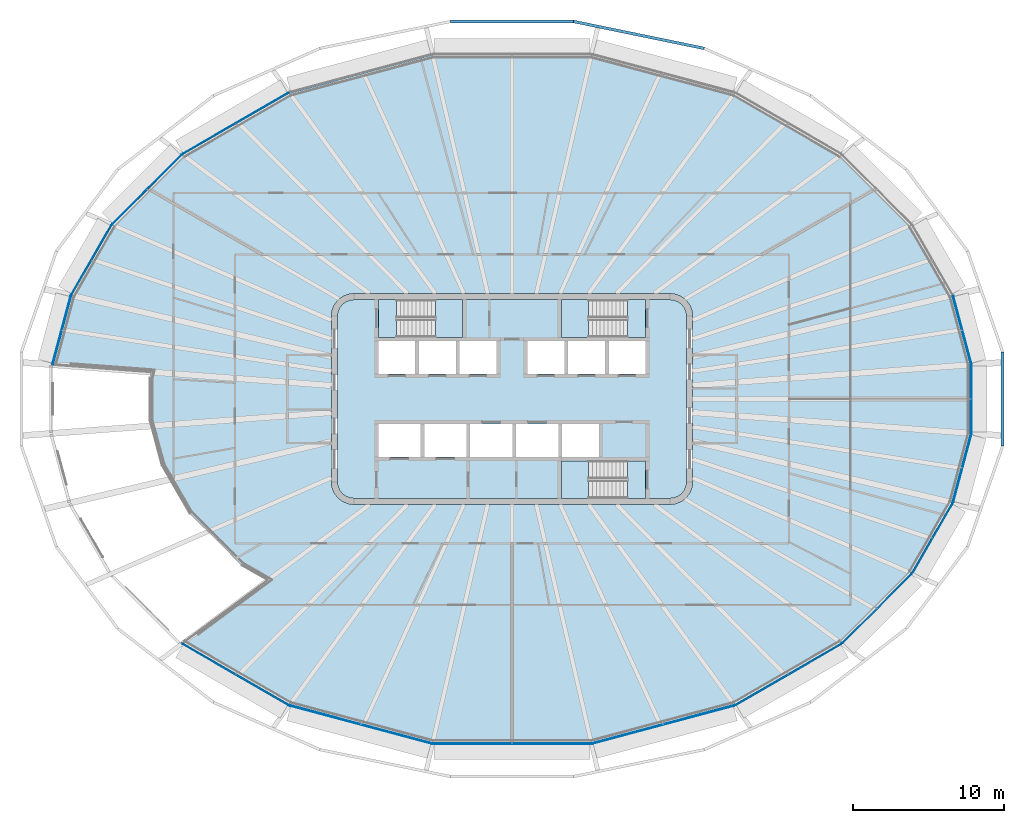
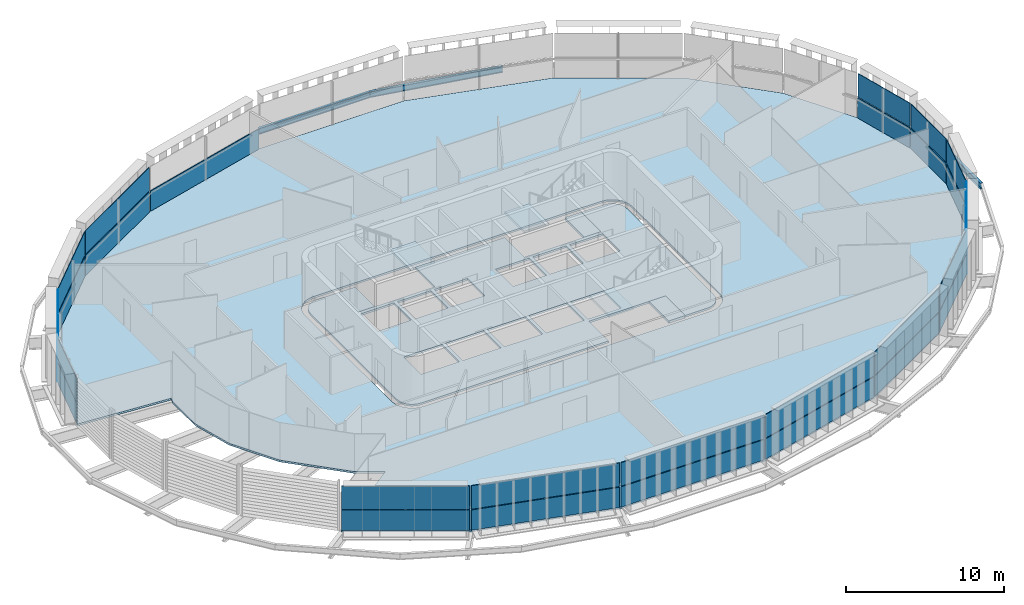
# One storey, part 8 of 20: 29 plates, 8 slabs, 3 beams, 18 elements without a shape of their own.
"""IFC4 building model written with IfcOpenShell, lengths in metres."""

from ifc_helpers import new_model, si_unit, direction, frame, origin, origin_2d, place, context, subcontext, project, spatial, polyline, i_section, outline, extrude, material, layer, layer_set, material_profile, profile_set, type_object, element, aggregate, save


model = new_model("IFC4")

# Units and contexts
model_context = context("Model", 3, precision=1e-05, world=origin(), true_north=direction((0.0, 1.0)))
body_context = subcontext(model_context, "Body", "Model", "MODEL_VIEW")
ifc_project = project(units=[si_unit("LENGTHUNIT", "METRE"), si_unit("AREAUNIT", "SQUARE_METRE"), si_unit("VOLUMEUNIT", "CUBIC_METRE"), si_unit("PLANEANGLEUNIT", "RADIAN"), si_unit("MASSUNIT", "GRAM", prefix="KILO")], contexts=[model_context])

# Site, building, storey
site_placement = place(None, origin())
site = spatial("IfcSite", under=ifc_project, at=site_placement, CompositionType="ELEMENT")
building_placement = place(site_placement, origin())
building = spatial("IfcBuilding", under=site, at=building_placement, Name="Sahrelin Media Tower", CompositionType="ELEMENT")
storey_placement = place(building_placement, frame((0.0, 0.0, 225.60009765625)))
storey = spatial("IfcBuildingStorey", under=building, at=storey_placement, Name="L48", CompositionType="ELEMENT", Elevation=225.60009765625)

# Beams
ifc_material_1 = material(Name="Steel S355", Category="steel")
ifc_material_profile = material_profile(ifc_material_1, i_section(OverallWidth=0.1904296875, OverallDepth=0.45703125, WebThickness=0.009033203125, FlangeThickness=0.014404296875, FilletRadius=0.01025390625, at=origin_2d()), Name="UB 457x191x74")
ifc_profile_set = profile_set([ifc_material_profile], Name="Steel S355")
beam_type = type_object("IfcBeamType", Name="Tie chord TC5", PredefinedType="BEAM", material=ifc_profile_set)
beam_1_placement = place(storey_placement, frame((12.75927734375, 23.28125, -0.378662109375), z_axis=(-0.979387737281, 0.201989257299, 0.0), x_axis=(-0.201989257299, -0.979387737281, 0.0)))
element("IfcBeam", 1, at=beam_1_placement, inside=storey, type_object=beam_type, Name="Tie chord L48-05", PredefinedType="BEAM", context=body_context, shape_type="SweptSolid", body=[
    extrude(i_section(OverallWidth=0.1904296875, OverallDepth=0.45703125, WebThickness=0.009033203125, FlangeThickness=0.014404296875, FilletRadius=0.01025390625, at=origin_2d()), origin(), (0.0, 0.0, 1.0), 8.8681640625),
])
beam_2_placement = place(storey_placement, frame((4.073974609375, 25.072509765625, -0.378662109375), z_axis=(-1.0, 0.0, 0.0), x_axis=(0.0, -1.0, 0.0)))
element("IfcBeam", 2, at=beam_2_placement, inside=storey, type_object=beam_type, Name="Tie chord L48-06", PredefinedType="BEAM", context=body_context, shape_type="SweptSolid", body=[
    extrude(i_section(OverallWidth=0.1904296875, OverallDepth=0.45703125, WebThickness=0.009033203125, FlangeThickness=0.014404296875, FilletRadius=0.01025390625, at=origin_2d()), origin(), (0.0, 0.0, 1.0), 8.14794921875),
])
beam_3_placement = place(storey_placement, frame((32.57470703125, -3.1357421875, -0.378662109375), z_axis=(0.0, 1.0, 0.0), x_axis=(-1.0, 0.0, 0.0)))
element("IfcBeam", 3, at=beam_3_placement, inside=storey, type_object=beam_type, Name="Tie chord L48-24", PredefinedType="BEAM", context=body_context, shape_type="SweptSolid", body=[
    extrude(i_section(OverallWidth=0.1904296875, OverallDepth=0.45703125, WebThickness=0.009033203125, FlangeThickness=0.014404296875, FilletRadius=0.01025390625, at=origin_2d()), origin(), (0.0, 0.0, 1.0), 6.271484375),
])

# Slabs
ifc_material_2 = material(Name="Concrete C40/50", Category="concrete")
ifc_layer_1 = layer(ifc_material_2, 0.14990234375)
ifc_layer_set_1 = layer_set([ifc_layer_1], Name="Composite floor slab 150")
slab_type_1 = type_object("IfcSlabType", Name="Composite floor slab 150", PredefinedType="FLOOR", material=ifc_layer_set_1)
placement_1 = place(storey_placement, frame((0.0, 0.0, -0.150146484375)))
element("IfcSlab", 4, at=placement_1, inside=storey, type_object=slab_type_1, Name="Floor slab L48", PredefinedType="FLOOR", context=body_context, shape_type="SweptSolid", body=[
    extrude(outline(polyline([(29.265869140625, -6.87841796875), (30.49853515625, -2.27734375), (30.49853515625, 2.27734375), (29.265869140625, 6.87841796875), (26.555419921875, 11.572998046875), (21.897705078125, 16.230712890625), (14.786865234375, 20.336181640625), (5.2822265625, 22.8828125), (-5.2822265625, 22.8828125), (-14.786865234375, 20.336181640625), (-21.897705078125, 16.230712890625), (-26.555419921875, 11.572998046875), (-29.265869140625, 6.87841796875), (-30.498291015625, 2.2783203125), (-23.92138671875, 1.787109375), (-24.0185546875, 1.42431640625), (-24.0185546875, -1.42431640625), (-23.227294921875, -4.377197265625), (-21.3701171875, -7.59423828125), (-17.918701171875, -11.04541015625), (-16.218994140625, -12.02685546875), (-21.892333984375, -16.233642578125), (-14.786865234375, -20.336181640625), (-5.2822265625, -22.8828125), (5.2822265625, -22.8828125), (14.786865234375, -20.336181640625), (21.897705078125, -16.230712890625), (26.555419921875, -11.572998046875), (29.265869140625, -6.87841796875)]), holes=[polyline([(11.799072265625, 6.25), (11.948974609375, 5.88818359375), (12.0, 5.5), (12.0, -5.5), (11.948974609375, -5.88818359375), (11.799072265625, -6.25), (11.560791015625, -6.560791015625), (11.25, -6.799072265625), (10.88818359375, -6.948974609375), (10.5, -7.0), (-10.5, -7.0), (-10.88818359375, -6.948974609375), (-11.25, -6.799072265625), (-11.560791015625, -6.560791015625), (-11.799072265625, -6.25), (-11.948974609375, -5.88818359375), (-12.0, -5.5), (-12.0, 5.5), (-11.948974609375, 5.88818359375), (-11.799072265625, 6.25), (-11.560791015625, 6.560791015625), (-11.25, 6.799072265625), (-10.88818359375, 6.948974609375), (-10.5, 7.0), (10.5, 7.0), (10.88818359375, 6.948974609375), (11.25, 6.799072265625), (11.560791015625, 6.560791015625), (11.799072265625, 6.25)])]), origin(), (0.0, 0.0, 1.0), 0.150146484375),
])
ifc_layer_2 = layer(ifc_material_2, 0.14990234375)
ifc_layer_set_2 = layer_set([ifc_layer_2], Name="Core floor slab 150")
slab_type_2 = type_object("IfcSlabType", Name="Core floor slab 150", PredefinedType="FLOOR", material=ifc_layer_set_2)
element("IfcSlab", 5, at=placement_1, inside=storey, type_object=slab_type_2, Name="Core floor", PredefinedType="FLOOR", context=body_context, shape_type="SweptSolid", body=[
    extrude(outline(polyline([(-11.60009765625, -5.473876953125), (-11.55908203125, -5.78369140625), (-11.44970703125, -6.04833984375), (-11.275390625, -6.275390625), (-11.04833984375, -6.44970703125), (-10.78369140625, -6.55908203125), (-10.473876953125, -6.60009765625), (3.27490234375, -6.60009765625), (3.27490234375, -4.10009765625), (8.875, -4.10009765625), (8.875, -6.60009765625), (10.473876953125, -6.60009765625), (10.78369140625, -6.55908203125), (11.04833984375, -6.44970703125), (11.275390625, -6.275390625), (11.44970703125, -6.04833984375), (11.55908203125, -5.78369140625), (11.60009765625, -5.473876953125), (11.60009765625, 5.473876953125), (11.55908203125, 5.78369140625), (11.44970703125, 6.04833984375), (11.275390625, 6.275390625), (11.04833984375, 6.44970703125), (10.78369140625, 6.55908203125), (10.473876953125, 6.60009765625), (8.875, 6.60009765625), (8.875, 4.10009765625), (3.27490234375, 4.10009765625), (3.27490234375, 6.60009765625), (-3.27490234375, 6.60009765625), (-3.27490234375, 4.10009765625), (-8.875, 4.10009765625), (-8.875, 6.60009765625), (-10.473876953125, 6.60009765625), (-10.78369140625, 6.55908203125), (-11.04833984375, 6.44970703125), (-11.275390625, 6.275390625), (-11.44970703125, 6.04833984375), (-11.55908203125, 5.78369140625), (-11.60009765625, 5.473876953125), (-11.60009765625, -5.473876953125)]), holes=[polyline([(-8.875, 3.85009765625), (-8.875, 1.64990234375), (-6.425048828125, 1.64990234375), (-6.425048828125, 3.85009765625), (-8.875, 3.85009765625)]), polyline([(-3.72509765625, 3.85009765625), (-6.175048828125, 3.85009765625), (-6.175048828125, 1.64990234375), (-3.72509765625, 1.64990234375), (-3.72509765625, 3.85009765625)]), polyline([(-1.02490234375, 1.64990234375), (-1.02490234375, 3.85009765625), (-3.47509765625, 3.85009765625), (-3.47509765625, 1.64990234375), (-1.02490234375, 1.64990234375)]), polyline([(1.02490234375, 1.64990234375), (3.47509765625, 1.64990234375), (3.47509765625, 3.85009765625), (1.02490234375, 3.85009765625), (1.02490234375, 1.64990234375)]), polyline([(3.72509765625, 3.85009765625), (3.72509765625, 1.64990234375), (6.175048828125, 1.64990234375), (6.175048828125, 3.85009765625), (3.72509765625, 3.85009765625)]), polyline([(8.875, 3.85009765625), (6.425048828125, 3.85009765625), (6.425048828125, 1.64990234375), (8.875, 1.64990234375), (8.875, 3.85009765625)]), polyline([(-6.074951171875, -3.85009765625), (-6.074951171875, -1.64990234375), (-8.875, -1.64990234375), (-8.875, -3.85009765625), (-6.074951171875, -3.85009765625)]), polyline([(-5.824951171875, -3.85009765625), (-3.02490234375, -3.85009765625), (-3.02490234375, -1.64990234375), (-5.824951171875, -1.64990234375), (-5.824951171875, -3.85009765625)]), polyline([(-2.77490234375, -1.64990234375), (-2.77490234375, -3.85009765625), (0.02490234375, -3.85009765625), (0.02490234375, -1.64990234375), (-2.77490234375, -1.64990234375)]), polyline([(3.074951171875, -1.64990234375), (0.27490234375, -1.64990234375), (0.27490234375, -3.85009765625), (3.074951171875, -3.85009765625), (3.074951171875, -1.64990234375)]), polyline([(5.77490234375, -3.85009765625), (5.77490234375, -1.64990234375), (3.324951171875, -1.64990234375), (3.324951171875, -3.85009765625), (5.77490234375, -3.85009765625)])]), origin(), (0.0, 0.0, 1.0), 0.150146484375),
])

# Curtain wall, plate
ifc_material_3 = material(Name="Champagne anodised aluminium 6063-T6", Category="aluminium")
ifc_layer_3 = layer(ifc_material_3, 0.14990234375)
ifc_layer_set_3 = layer_set([ifc_layer_3], Name="Tower ribbon curtain wall")
curtain_wall_type = type_object("IfcCurtainWallType", Name="Tower ribbon curtain wall", PredefinedType="NOTDEFINED", material=ifc_layer_set_3)
curtain_wall_1_placement = place(storey_placement, frame((30.5185546875, 0.0, 0.0), z_axis=(0.0, 0.0, 1.0), x_axis=(1.0, 0.0, 0.0)))
curtain_wall_1 = element("IfcCurtainWall", 6, at=curtain_wall_1_placement, inside=storey, type_object=curtain_wall_type, Name="L48:CW:L48-00", PredefinedType="NOTDEFINED")
ifc_material_4 = material(Name="Clear low-iron glazing", Category="glass")
ifc_layer_4 = layer(ifc_material_4, 0.0439453125)
ifc_layer_set_4 = layer_set([ifc_layer_4], Name="Glazing panel 44 mm CW1B")
plate_type_1 = type_object("IfcPlateType", Name="Glazing panel 44 mm CW1B", PredefinedType="CURTAIN_PANEL", material=ifc_layer_set_4)
plate_1_placement = place(storey_placement, frame((30.53857421875, -2.22998046875, 1.6298828125), z_axis=(1.0, 0.0, 0.0), x_axis=(0.0, 1.0, 0.0)))
plate_1 = element("IfcPlate", 7, at=plate_1_placement, type_object=plate_type_1, Name="L48:CWP2:L48-00", PredefinedType="CURTAIN_PANEL", context=body_context, shape_type="SweptSolid", body=[
    extrude(outline(polyline([(0.0, 0.0), (4.4599609375, 0.0), (4.4599609375, 1.818603515625), (0.0, 1.818603515625), (0.0, 0.0)])), origin(), (0.0, 0.0, -1.0), 0.0439453125),
])

curtain_wall_2_placement = place(storey_placement, frame((29.901611328125, 4.5830078125, 0.0), z_axis=(0.0, 0.0, 1.0), x_axis=(1.0, 0.0, 0.0)))
curtain_wall_2 = element("IfcCurtainWall", 8, at=curtain_wall_2_placement, inside=storey, type_object=curtain_wall_type, Name="L48:CW:L48-01", PredefinedType="NOTDEFINED")
plate_2_placement = place(storey_placement, frame((30.52490234375, 2.33349609375, 1.6298828125), z_axis=(0.965929611429, 0.258804918356, 0.0), x_axis=(-0.258804918356, 0.965929611429, 0.0)))
plate_2 = element("IfcPlate", 9, at=plate_2_placement, type_object=plate_type_1, Name="L48:CWP2:L48-01", PredefinedType="CURTAIN_PANEL", context=body_context, shape_type="SweptSolid", body=[
    extrude(outline(polyline([(0.0, 0.0), (4.668701171875, 0.0), (4.668701171875, 1.818603515625), (0.0, 1.818603515625), (0.0, 0.0)])), origin(), (0.0, 0.0, -1.0), 0.0439453125),
])

curtain_wall_3_placement = place(storey_placement, frame((-18.352294921875, 18.30078125, 0.0), z_axis=(0.0, 0.0, 1.0), x_axis=(1.0, 0.0, 0.0)))
curtain_wall_3 = element("IfcCurtainWall", 10, at=curtain_wall_3_placement, inside=storey, type_object=curtain_wall_type, Name="L48:CW:L48-08", PredefinedType="NOTDEFINED")
plate_3_placement = place(storey_placement, frame((-14.847900390625, 20.346923828125, 1.6298828125), z_axis=(-0.499979373566, 0.866037312134, 0.0), x_axis=(-0.866037312134, -0.499979373566, 0.0)))
plate_3 = element("IfcPlate", 11, at=plate_3_placement, type_object=plate_type_1, Name="L48:CWP2:L48-08", PredefinedType="CURTAIN_PANEL", context=body_context, shape_type="SweptSolid", body=[
    extrude(outline(polyline([(0.0, 0.0), (8.115966796875, 0.0), (8.115966796875, 1.818603515625), (0.0, 1.818603515625), (0.0, 0.0)])), origin(), (0.0, 0.0, -1.0), 0.0439453125),
])

curtain_wall_4_placement = place(storey_placement, frame((-24.240478515625, 13.916015625, 0.0), z_axis=(0.0, 0.0, 1.0), x_axis=(1.0, 0.0, 0.0)))
curtain_wall_4 = element("IfcCurtainWall", 12, at=curtain_wall_4_placement, inside=storey, type_object=curtain_wall_type, Name="L48:CW:L48-09", PredefinedType="NOTDEFINED")
plate_4_placement = place(storey_placement, frame((-21.95947265625, 16.2255859375, 1.6298828125), z_axis=(-0.707125583467, 0.707087978406, 0.0), x_axis=(-0.707087978406, -0.707125583467, 0.0)))
plate_4 = element("IfcPlate", 13, at=plate_4_placement, type_object=plate_type_1, Name="L48:CWP2:L48-09", PredefinedType="CURTAIN_PANEL", context=body_context, shape_type="SweptSolid", body=[
    extrude(outline(polyline([(0.0, 0.0), (6.4921875, 0.0), (6.4921875, 1.818603515625), (0.0, 1.818603515625), (0.0, 0.0)])), origin(), (0.0, 0.0, -1.0), 0.0439453125),
])

curtain_wall_5_placement = place(storey_placement, frame((-27.927734375, 9.235595703125, 0.0), z_axis=(0.0, 0.0, 1.0), x_axis=(1.0, 0.0, 0.0)))
curtain_wall_5 = element("IfcCurtainWall", 14, at=curtain_wall_5_placement, inside=storey, type_object=curtain_wall_type, Name="L48:CW:L48-10", PredefinedType="NOTDEFINED")
plate_5_placement = place(storey_placement, frame((-26.613525390625, 11.552001953125, 1.6298828125), z_axis=(-0.866022994869, 0.500004172341, 0.0), x_axis=(-0.500004172341, -0.866022994869, 0.0)))
plate_5 = element("IfcPlate", 15, at=plate_5_placement, type_object=plate_type_1, Name="L48:CWP2:L48-10", PredefinedType="CURTAIN_PANEL", context=body_context, shape_type="SweptSolid", body=[
    extrude(outline(polyline([(0.0, 0.0), (5.326171875, 0.0), (5.326171875, 1.818603515625), (0.0, 1.818603515625), (0.0, 0.0)])), origin(), (0.0, 0.0, -1.0), 0.0439453125),
])

curtain_wall_6_placement = place(storey_placement, frame((-29.901611328125, 4.5830078125, 0.0), z_axis=(0.0, 0.0, 1.0), x_axis=(1.0, 0.0, 0.0)))
curtain_wall_6 = element("IfcCurtainWall", 16, at=curtain_wall_6_placement, inside=storey, type_object=curtain_wall_type, Name="L48:CW:L48-11", PredefinedType="NOTDEFINED")
plate_6_placement = place(storey_placement, frame((-29.316650390625, 6.843017578125, 1.6298828125), z_axis=(-0.965929611429, 0.258804918356, 0.0), x_axis=(-0.258804918356, -0.965929611429, 0.0)))
plate_6 = element("IfcPlate", 17, at=plate_6_placement, type_object=plate_type_1, Name="L48:CWP2:L48-11", PredefinedType="CURTAIN_PANEL", context=body_context, shape_type="SweptSolid", body=[
    extrude(outline(polyline([(0.0, 0.0), (4.668701171875, 0.0), (4.668701171875, 1.818603515625), (0.0, 1.818603515625), (0.0, 0.0)])), origin(), (0.0, 0.0, -1.0), 0.0439453125),
])

curtain_wall_7_placement = place(storey_placement, frame((-18.352294921875, -18.30078125, 0.0), z_axis=(0.0, 0.0, 1.0), x_axis=(1.0, 0.0, 0.0)))
curtain_wall_7 = element("IfcCurtainWall", 18, at=curtain_wall_7_placement, inside=storey, type_object=curtain_wall_type, Name="L48:CW:L48-16", PredefinedType="NOTDEFINED")
plate_7_placement = place(storey_placement, frame((-21.876708984375, -16.2890625, 1.6298828125), z_axis=(-0.499979373566, -0.866037312134, 0.0), x_axis=(0.866037312134, -0.499979373566, 0.0)))
plate_7 = element("IfcPlate", 19, at=plate_7_placement, type_object=plate_type_1, Name="L48:CWP2:L48-16", PredefinedType="CURTAIN_PANEL", context=body_context, shape_type="SweptSolid", body=[
    extrude(outline(polyline([(0.0, 0.0), (8.115966796875, 0.0), (8.115966796875, 1.818603515625), (0.0, 1.818603515625), (0.0, 0.0)])), origin(), (0.0, 0.0, -1.0), 0.0439453125),
])

curtain_wall_8_placement = place(storey_placement, frame((-10.039794921875, -21.62890625, 0.0), z_axis=(0.0, 0.0, 1.0), x_axis=(1.0, 0.0, 0.0)))
curtain_wall_8 = element("IfcCurtainWall", 20, at=curtain_wall_8_placement, inside=storey, type_object=curtain_wall_type, Name="L48:CW:L48-17", PredefinedType="NOTDEFINED")
plate_8_placement = place(storey_placement, frame((-14.75146484375, -20.386962890625, 1.6298828125), z_axis=(-0.258817898278, -0.965926133579, 0.0), x_axis=(0.965926133579, -0.258817898278, 0.0)))
plate_8 = element("IfcPlate", 21, at=plate_8_placement, type_object=plate_type_1, Name="L48:CWP2:L48-17", PredefinedType="CURTAIN_PANEL", context=body_context, shape_type="SweptSolid", body=[
    extrude(outline(polyline([(0.0, 0.0), (9.7451171875, 0.0), (9.7451171875, 1.818603515625), (0.0, 1.818603515625), (0.0, 0.0)])), origin(), (0.0, 0.0, -1.0), 0.0439453125),
])

curtain_wall_9_placement = place(storey_placement, frame((0.0, -22.90283203125, 0.0), z_axis=(0.0, 0.0, 1.0), x_axis=(1.0, 0.0, 0.0)))
curtain_wall_9 = element("IfcCurtainWall", 22, at=curtain_wall_9_placement, inside=storey, type_object=curtain_wall_type, Name="L48:CW:L48-18", PredefinedType="NOTDEFINED")
plate_9_placement = place(storey_placement, frame((-5.23486328125, -22.9228515625, 1.6298828125), z_axis=(0.0, -1.0, 0.0), x_axis=(1.0, 0.0, 0.0)))
plate_9 = element("IfcPlate", 23, at=plate_9_placement, type_object=plate_type_1, Name="L48:CWP2:L48-18", PredefinedType="CURTAIN_PANEL", context=body_context, shape_type="SweptSolid", body=[
    extrude(outline(polyline([(0.0, 0.0), (10.4697265625, 0.0), (10.4697265625, 1.818603515625), (0.0, 1.818603515625), (0.0, 0.0)])), origin(), (0.0, 0.0, -1.0), 0.0439453125),
])

curtain_wall_10_placement = place(storey_placement, frame((10.039794921875, -21.628662109375, 0.0), z_axis=(0.0, 0.0, 1.0), x_axis=(1.0, 0.0, 0.0)))
curtain_wall_10 = element("IfcCurtainWall", 24, at=curtain_wall_10_placement, inside=storey, type_object=curtain_wall_type, Name="L48:CW:L48-19", PredefinedType="NOTDEFINED")
plate_10_placement = place(storey_placement, frame((5.33837890625, -22.9091796875, 1.6298828125), z_axis=(0.258817898278, -0.965926133579, 0.0), x_axis=(0.965926133579, 0.258817898278, 0.0)))
plate_10 = element("IfcPlate", 25, at=plate_10_placement, type_object=plate_type_1, Name="L48:CWP2:L48-19", PredefinedType="CURTAIN_PANEL", context=body_context, shape_type="SweptSolid", body=[
    extrude(outline(polyline([(0.0, 0.0), (9.7451171875, 0.0), (9.7451171875, 1.818603515625), (0.0, 1.818603515625), (0.0, 0.0)])), origin(), (0.0, 0.0, -1.0), 0.0439453125),
])

curtain_wall_11_placement = place(storey_placement, frame((18.352294921875, -18.30078125, 0.0), z_axis=(0.0, 0.0, 1.0), x_axis=(1.0, 0.0, 0.0)))
curtain_wall_11 = element("IfcCurtainWall", 26, at=curtain_wall_11_placement, inside=storey, type_object=curtain_wall_type, Name="L48:CW:L48-20", PredefinedType="NOTDEFINED")
plate_11_placement = place(storey_placement, frame((14.847900390625, -20.346923828125, 1.6298828125), z_axis=(0.499979373566, -0.866037312134, 0.0), x_axis=(0.866037312134, 0.499979373566, 0.0)))
plate_11 = element("IfcPlate", 27, at=plate_11_placement, type_object=plate_type_1, Name="L48:CWP2:L48-20", PredefinedType="CURTAIN_PANEL", context=body_context, shape_type="SweptSolid", body=[
    extrude(outline(polyline([(0.0, 0.0), (8.115966796875, 0.0), (8.115966796875, 1.818603515625), (0.0, 1.818603515625), (0.0, 0.0)])), origin(), (0.0, 0.0, -1.0), 0.0439453125),
])

curtain_wall_12_placement = place(storey_placement, frame((24.240478515625, -13.916015625, 0.0), z_axis=(0.0, 0.0, 1.0), x_axis=(1.0, 0.0, 0.0)))
curtain_wall_12 = element("IfcCurtainWall", 28, at=curtain_wall_12_placement, inside=storey, type_object=curtain_wall_type, Name="L48:CW:L48-21", PredefinedType="NOTDEFINED")
plate_12_placement = place(storey_placement, frame((21.95947265625, -16.2255859375, 1.6298828125), z_axis=(0.707125583467, -0.707087978406, 0.0), x_axis=(0.707087978406, 0.707125583467, 0.0)))
plate_12 = element("IfcPlate", 29, at=plate_12_placement, type_object=plate_type_1, Name="L48:CWP2:L48-21", PredefinedType="CURTAIN_PANEL", context=body_context, shape_type="SweptSolid", body=[
    extrude(outline(polyline([(0.0, 0.0), (6.4921875, 0.0), (6.4921875, 1.818603515625), (0.0, 1.818603515625), (0.0, 0.0)])), origin(), (0.0, 0.0, -1.0), 0.0439453125),
])

curtain_wall_13_placement = place(storey_placement, frame((27.927734375, -9.235595703125, 0.0), z_axis=(0.0, 0.0, 1.0), x_axis=(1.0, 0.0, 0.0)))
curtain_wall_13 = element("IfcCurtainWall", 30, at=curtain_wall_13_placement, inside=storey, type_object=curtain_wall_type, Name="L48:CW:L48-22", PredefinedType="NOTDEFINED")
plate_13_placement = place(storey_placement, frame((26.613525390625, -11.552001953125, 1.6298828125), z_axis=(0.866022994869, -0.500004172341, 0.0), x_axis=(0.500004172341, 0.866022994869, 0.0)))
plate_13 = element("IfcPlate", 31, at=plate_13_placement, type_object=plate_type_1, Name="L48:CWP2:L48-22", PredefinedType="CURTAIN_PANEL", context=body_context, shape_type="SweptSolid", body=[
    extrude(outline(polyline([(0.0, 0.0), (5.326171875, 0.0), (5.326171875, 1.818603515625), (0.0, 1.818603515625), (0.0, 0.0)])), origin(), (0.0, 0.0, -1.0), 0.0439453125),
])

curtain_wall_14_placement = place(storey_placement, frame((29.901611328125, -4.5830078125, 0.0), z_axis=(0.0, 0.0, 1.0), x_axis=(1.0, 0.0, 0.0)))
curtain_wall_14 = element("IfcCurtainWall", 32, at=curtain_wall_14_placement, inside=storey, type_object=curtain_wall_type, Name="L48:CW:L48-23", PredefinedType="NOTDEFINED")
plate_14_placement = place(storey_placement, frame((29.316650390625, -6.843017578125, 1.6298828125), z_axis=(0.965929611429, -0.258804918356, 0.0), x_axis=(0.258804918356, 0.965929611429, 0.0)))
plate_14 = element("IfcPlate", 33, at=plate_14_placement, type_object=plate_type_1, Name="L48:CWP2:L48-23", PredefinedType="CURTAIN_PANEL", context=body_context, shape_type="SweptSolid", body=[
    extrude(outline(polyline([(0.0, 0.0), (4.668701171875, 0.0), (4.668701171875, 1.818603515625), (0.0, 1.818603515625), (0.0, 0.0)])), origin(), (0.0, 0.0, -1.0), 0.0439453125),
])

# Plate
ifc_material_5 = material(Name="Insulated spandrel panel")
ifc_layer_5 = layer(ifc_material_5, 0.06005859375)
ifc_layer_set_5 = layer_set([ifc_layer_5], Name="Spandrel panel 60 mm CW1")
plate_type_2 = type_object("IfcPlateType", Name="Spandrel panel 60 mm CW1", PredefinedType="SHEET", material=ifc_layer_set_5)
plate_15_placement = place(storey_placement, frame((30.53857421875, -2.22998046875, 0.0), z_axis=(1.0, 0.0, 0.0), x_axis=(0.0, 1.0, 0.0)))
plate_15 = element("IfcPlate", 34, at=plate_15_placement, type_object=plate_type_2, Name="L48:CWP1:L48-00", PredefinedType="SHEET", context=body_context, shape_type="SweptSolid", body=[
    extrude(outline(polyline([(0.0, 0.0), (4.4599609375, 0.0), (4.4599609375, 1.56982421875), (0.0, 1.56982421875), (0.0, 0.0)])), origin(), (0.0, 0.0, -1.0), 0.06005859375),
])

aggregate(curtain_wall_1, [plate_15, plate_1])

plate_16_placement = place(storey_placement, frame((30.52490234375, 2.33349609375, 0.0), z_axis=(0.965929611429, 0.258804918356, 0.0), x_axis=(-0.258804918356, 0.965929611429, 0.0)))
plate_16 = element("IfcPlate", 35, at=plate_16_placement, type_object=plate_type_2, Name="L48:CWP1:L48-01", PredefinedType="SHEET", context=body_context, shape_type="SweptSolid", body=[
    extrude(outline(polyline([(0.0, 0.0), (4.668701171875, 0.0), (4.668701171875, 1.56982421875), (0.0, 1.56982421875), (0.0, 0.0)])), origin(), (0.0, 0.0, -1.0), 0.06005859375),
])

aggregate(curtain_wall_2, [plate_16, plate_2])

# Curtain wall, plate
curtain_wall_15_placement = place(storey_placement, frame((-10.039794921875, 21.628662109375, 0.0), z_axis=(0.0, 0.0, 1.0), x_axis=(1.0, 0.0, 0.0)))
curtain_wall_15 = element("IfcCurtainWall", 36, at=curtain_wall_15_placement, inside=storey, type_object=curtain_wall_type, Name="L48:CW:L48-07", PredefinedType="NOTDEFINED")
plate_17_placement = place(storey_placement, frame((-5.33837890625, 22.9091796875, 0.0), z_axis=(-0.258817898278, 0.965926133579, 0.0), x_axis=(-0.965926133579, -0.258817898278, 0.0)))
plate_17 = element("IfcPlate", 37, at=plate_17_placement, type_object=plate_type_2, Name="L48:CWP1:L48-07", PredefinedType="SHEET", context=body_context, shape_type="SweptSolid", body=[
    extrude(outline(polyline([(0.0, 0.0), (9.7451171875, 0.0), (9.7451171875, 1.56982421875), (0.0, 1.56982421875), (0.0, 0.0)])), origin(), (0.0, 0.0, -1.0), 0.06005859375),
])
aggregate(curtain_wall_15, [plate_17])

# Plate
plate_18_placement = place(storey_placement, frame((-14.847900390625, 20.346923828125, 0.0), z_axis=(-0.499979373566, 0.866037312134, 0.0), x_axis=(-0.866037312134, -0.499979373566, 0.0)))
plate_18 = element("IfcPlate", 38, at=plate_18_placement, type_object=plate_type_2, Name="L48:CWP1:L48-08", PredefinedType="SHEET", context=body_context, shape_type="SweptSolid", body=[
    extrude(outline(polyline([(0.0, 0.0), (8.115966796875, 0.0), (8.115966796875, 1.56982421875), (0.0, 1.56982421875), (0.0, 0.0)])), origin(), (0.0, 0.0, -1.0), 0.06005859375),
])

aggregate(curtain_wall_3, [plate_18, plate_3])

plate_19_placement = place(storey_placement, frame((-21.95947265625, 16.2255859375, 0.0), z_axis=(-0.707125583467, 0.707087978406, 0.0), x_axis=(-0.707087978406, -0.707125583467, 0.0)))
plate_19 = element("IfcPlate", 39, at=plate_19_placement, type_object=plate_type_2, Name="L48:CWP1:L48-09", PredefinedType="SHEET", context=body_context, shape_type="SweptSolid", body=[
    extrude(outline(polyline([(0.0, 0.0), (6.4921875, 0.0), (6.4921875, 1.56982421875), (0.0, 1.56982421875), (0.0, 0.0)])), origin(), (0.0, 0.0, -1.0), 0.06005859375),
])

aggregate(curtain_wall_4, [plate_19, plate_4])

plate_20_placement = place(storey_placement, frame((-26.613525390625, 11.552001953125, 0.0), z_axis=(-0.866022994869, 0.500004172341, 0.0), x_axis=(-0.500004172341, -0.866022994869, 0.0)))
plate_20 = element("IfcPlate", 40, at=plate_20_placement, type_object=plate_type_2, Name="L48:CWP1:L48-10", PredefinedType="SHEET", context=body_context, shape_type="SweptSolid", body=[
    extrude(outline(polyline([(0.0, 0.0), (5.326171875, 0.0), (5.326171875, 1.56982421875), (0.0, 1.56982421875), (0.0, 0.0)])), origin(), (0.0, 0.0, -1.0), 0.06005859375),
])

aggregate(curtain_wall_5, [plate_20, plate_5])

plate_21_placement = place(storey_placement, frame((-29.316650390625, 6.843017578125, 0.0), z_axis=(-0.965929611429, 0.258804918356, 0.0), x_axis=(-0.258804918356, -0.965929611429, 0.0)))
plate_21 = element("IfcPlate", 41, at=plate_21_placement, type_object=plate_type_2, Name="L48:CWP1:L48-11", PredefinedType="SHEET", context=body_context, shape_type="SweptSolid", body=[
    extrude(outline(polyline([(0.0, 0.0), (4.668701171875, 0.0), (4.668701171875, 1.56982421875), (0.0, 1.56982421875), (0.0, 0.0)])), origin(), (0.0, 0.0, -1.0), 0.06005859375),
])

aggregate(curtain_wall_6, [plate_21, plate_6])

plate_22_placement = place(storey_placement, frame((-21.876708984375, -16.2890625, 0.0), z_axis=(-0.499979373566, -0.866037312134, 0.0), x_axis=(0.866037312134, -0.499979373566, 0.0)))
plate_22 = element("IfcPlate", 42, at=plate_22_placement, type_object=plate_type_2, Name="L48:CWP1:L48-16", PredefinedType="SHEET", context=body_context, shape_type="SweptSolid", body=[
    extrude(outline(polyline([(0.0, 0.0), (8.115966796875, 0.0), (8.115966796875, 1.56982421875), (0.0, 1.56982421875), (0.0, 0.0)])), origin(), (0.0, 0.0, -1.0), 0.06005859375),
])

aggregate(curtain_wall_7, [plate_22, plate_7])

plate_23_placement = place(storey_placement, frame((-14.75146484375, -20.386962890625, 0.0), z_axis=(-0.258817898278, -0.965926133579, 0.0), x_axis=(0.965926133579, -0.258817898278, 0.0)))
plate_23 = element("IfcPlate", 43, at=plate_23_placement, type_object=plate_type_2, Name="L48:CWP1:L48-17", PredefinedType="SHEET", context=body_context, shape_type="SweptSolid", body=[
    extrude(outline(polyline([(0.0, 0.0), (9.7451171875, 0.0), (9.7451171875, 1.56982421875), (0.0, 1.56982421875), (0.0, 0.0)])), origin(), (0.0, 0.0, -1.0), 0.06005859375),
])

aggregate(curtain_wall_8, [plate_23, plate_8])

plate_24_placement = place(storey_placement, frame((-5.23486328125, -22.9228515625, 0.0), z_axis=(0.0, -1.0, 0.0), x_axis=(1.0, 0.0, 0.0)))
plate_24 = element("IfcPlate", 44, at=plate_24_placement, type_object=plate_type_2, Name="L48:CWP1:L48-18", PredefinedType="SHEET", context=body_context, shape_type="SweptSolid", body=[
    extrude(outline(polyline([(0.0, 0.0), (10.4697265625, 0.0), (10.4697265625, 1.56982421875), (0.0, 1.56982421875), (0.0, 0.0)])), origin(), (0.0, 0.0, -1.0), 0.06005859375),
])

aggregate(curtain_wall_9, [plate_24, plate_9])

plate_25_placement = place(storey_placement, frame((5.33837890625, -22.9091796875, 0.0), z_axis=(0.258817898278, -0.965926133579, 0.0), x_axis=(0.965926133579, 0.258817898278, 0.0)))
plate_25 = element("IfcPlate", 45, at=plate_25_placement, type_object=plate_type_2, Name="L48:CWP1:L48-19", PredefinedType="SHEET", context=body_context, shape_type="SweptSolid", body=[
    extrude(outline(polyline([(0.0, 0.0), (9.7451171875, 0.0), (9.7451171875, 1.56982421875), (0.0, 1.56982421875), (0.0, 0.0)])), origin(), (0.0, 0.0, -1.0), 0.06005859375),
])

aggregate(curtain_wall_10, [plate_25, plate_10])

plate_26_placement = place(storey_placement, frame((14.847900390625, -20.346923828125, 0.0), z_axis=(0.499979373566, -0.866037312134, 0.0), x_axis=(0.866037312134, 0.499979373566, 0.0)))
plate_26 = element("IfcPlate", 46, at=plate_26_placement, type_object=plate_type_2, Name="L48:CWP1:L48-20", PredefinedType="SHEET", context=body_context, shape_type="SweptSolid", body=[
    extrude(outline(polyline([(0.0, 0.0), (8.115966796875, 0.0), (8.115966796875, 1.56982421875), (0.0, 1.56982421875), (0.0, 0.0)])), origin(), (0.0, 0.0, -1.0), 0.06005859375),
])

aggregate(curtain_wall_11, [plate_26, plate_11])

plate_27_placement = place(storey_placement, frame((21.95947265625, -16.2255859375, 0.0), z_axis=(0.707125583467, -0.707087978406, 0.0), x_axis=(0.707087978406, 0.707125583467, 0.0)))
plate_27 = element("IfcPlate", 47, at=plate_27_placement, type_object=plate_type_2, Name="L48:CWP1:L48-21", PredefinedType="SHEET", context=body_context, shape_type="SweptSolid", body=[
    extrude(outline(polyline([(0.0, 0.0), (6.4921875, 0.0), (6.4921875, 1.56982421875), (0.0, 1.56982421875), (0.0, 0.0)])), origin(), (0.0, 0.0, -1.0), 0.06005859375),
])

aggregate(curtain_wall_12, [plate_27, plate_12])

plate_28_placement = place(storey_placement, frame((26.613525390625, -11.552001953125, 0.0), z_axis=(0.866022994869, -0.500004172341, 0.0), x_axis=(0.500004172341, 0.866022994869, 0.0)))
plate_28 = element("IfcPlate", 48, at=plate_28_placement, type_object=plate_type_2, Name="L48:CWP1:L48-22", PredefinedType="SHEET", context=body_context, shape_type="SweptSolid", body=[
    extrude(outline(polyline([(0.0, 0.0), (5.326171875, 0.0), (5.326171875, 1.56982421875), (0.0, 1.56982421875), (0.0, 0.0)])), origin(), (0.0, 0.0, -1.0), 0.06005859375),
])

aggregate(curtain_wall_13, [plate_28, plate_13])

plate_29_placement = place(storey_placement, frame((29.316650390625, -6.843017578125, 0.0), z_axis=(0.965929611429, -0.258804918356, 0.0), x_axis=(0.258804918356, 0.965929611429, 0.0)))
plate_29 = element("IfcPlate", 49, at=plate_29_placement, type_object=plate_type_2, Name="L48:CWP1:L48-23", PredefinedType="SHEET", context=body_context, shape_type="SweptSolid", body=[
    extrude(outline(polyline([(0.0, 0.0), (4.668701171875, 0.0), (4.668701171875, 1.56982421875), (0.0, 1.56982421875), (0.0, 0.0)])), origin(), (0.0, 0.0, -1.0), 0.06005859375),
])

aggregate(curtain_wall_14, [plate_29, plate_14])

# Stair, slabs
stair_type = type_object("IfcStairType", Name="Exit stair 1200", PredefinedType="HALF_TURN_STAIR", material=ifc_material_2)
placement_2 = place(storey_placement, origin())
stair_1 = element("IfcStair", 50, at=placement_2, inside=storey, type_object=stair_type, Name="L48 Exit stair ST1", PredefinedType="HALF_TURN_STAIR")
ifc_layer_6 = layer(ifc_material_2, 0.199951171875)
ifc_layer_set_6 = layer_set([ifc_layer_6], Name="Stair landing 200")
slab_type_3 = type_object("IfcSlabType", Name="Stair landing 200", PredefinedType="LANDING", material=ifc_layer_set_6)
placement_3 = place(storey_placement, frame((0.0, 0.0, 1.7998046875)))
slab_3 = element("IfcSlab", 51, at=placement_3, type_object=slab_type_3, Name="ST1 landing 1", PredefinedType="LANDING", context=body_context, shape_type="SweptSolid", body=[
    extrude(outline(polyline([(-5.074951171875, 4.10009765625), (-3.27490234375, 4.10009765625), (-3.27490234375, 6.60009765625), (-5.074951171875, 6.60009765625), (-5.074951171875, 4.10009765625)])), origin(), (0.0, 0.0, 1.0), 0.2001953125),
])
placement_4 = place(storey_placement, frame((0.0, 0.0, -0.2001953125)))
slab_4 = element("IfcSlab", 52, at=placement_4, type_object=slab_type_3, Name="ST1 landing 2", PredefinedType="LANDING", context=body_context, shape_type="SweptSolid", body=[
    extrude(outline(polyline([(-8.875, 4.10009765625), (-7.675048828125, 4.10009765625), (-7.675048828125, 6.60009765625), (-8.875, 6.60009765625), (-8.875, 4.10009765625)])), origin(), (0.0, 0.0, 1.0), 0.2001953125),
])
aggregate(stair_1, [slab_3, slab_4])

stair_2 = element("IfcStair", 53, at=placement_2, inside=storey, type_object=stair_type, Name="L48 Exit stair ST3", PredefinedType="HALF_TURN_STAIR")
slab_5 = element("IfcSlab", 54, at=placement_3, type_object=slab_type_3, Name="ST3 landing 1", PredefinedType="LANDING", context=body_context, shape_type="SweptSolid", body=[
    extrude(outline(polyline([(5.074951171875, 6.60009765625), (3.27490234375, 6.60009765625), (3.27490234375, 4.10009765625), (5.074951171875, 4.10009765625), (5.074951171875, 6.60009765625)])), origin(), (0.0, 0.0, 1.0), 0.2001953125),
])
slab_6 = element("IfcSlab", 55, at=placement_4, type_object=slab_type_3, Name="ST3 landing 2", PredefinedType="LANDING", context=body_context, shape_type="SweptSolid", body=[
    extrude(outline(polyline([(8.875, 6.60009765625), (7.675048828125, 6.60009765625), (7.675048828125, 4.10009765625), (8.875, 4.10009765625), (8.875, 6.60009765625)])), origin(), (0.0, 0.0, 1.0), 0.2001953125),
])
aggregate(stair_2, [slab_5, slab_6])

stair_3 = element("IfcStair", 56, at=placement_2, inside=storey, type_object=stair_type, Name="L48 Exit stair ST2", PredefinedType="HALF_TURN_STAIR")
slab_7 = element("IfcSlab", 57, at=placement_3, type_object=slab_type_3, Name="ST2 landing 1", PredefinedType="LANDING", context=body_context, shape_type="SweptSolid", body=[
    extrude(outline(polyline([(5.074951171875, -4.10009765625), (3.27490234375, -4.10009765625), (3.27490234375, -6.60009765625), (5.074951171875, -6.60009765625), (5.074951171875, -4.10009765625)])), origin(), (0.0, 0.0, 1.0), 0.2001953125),
])
slab_8 = element("IfcSlab", 58, at=placement_4, type_object=slab_type_3, Name="ST2 landing 2", PredefinedType="LANDING", context=body_context, shape_type="SweptSolid", body=[
    extrude(outline(polyline([(8.875, -4.10009765625), (7.675048828125, -4.10009765625), (7.675048828125, -6.60009765625), (8.875, -6.60009765625), (8.875, -4.10009765625)])), origin(), (0.0, 0.0, 1.0), 0.2001953125),
])
aggregate(stair_3, [slab_7, slab_8])

save(model, "model.ifc")
